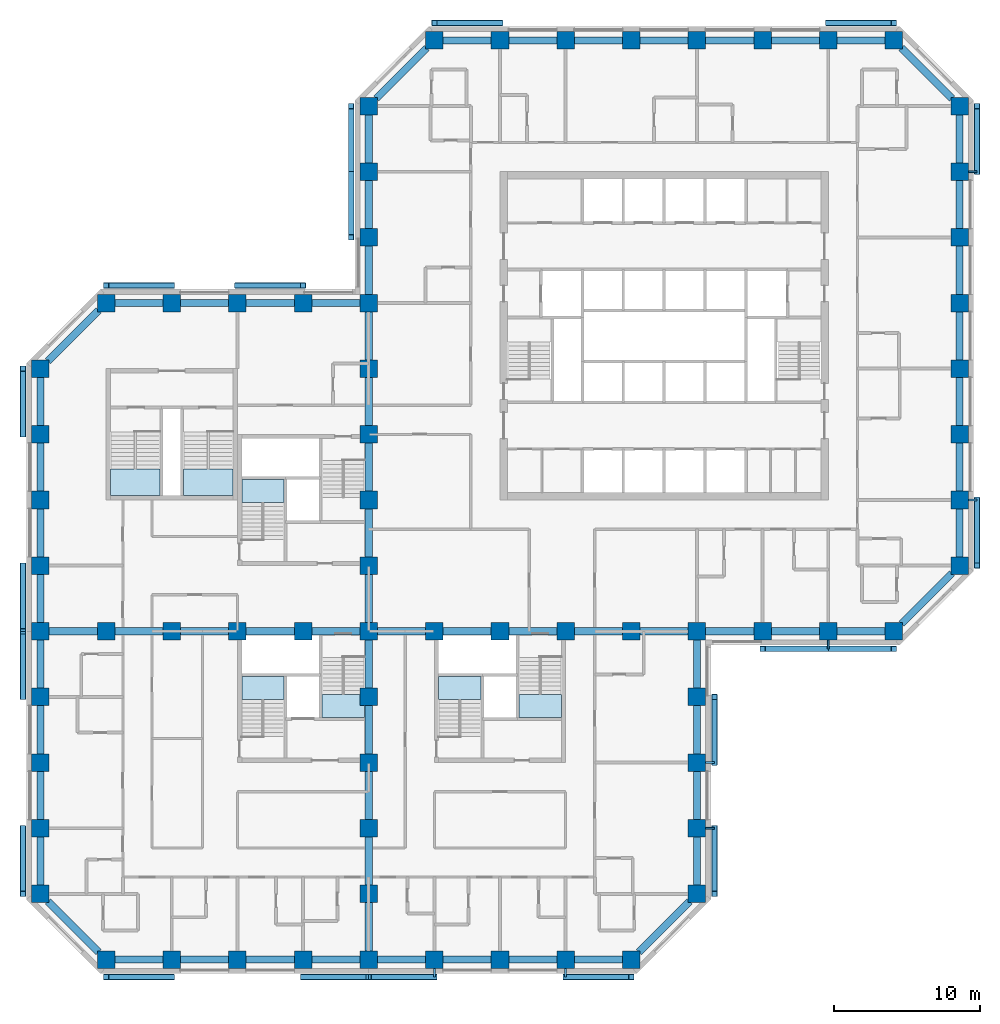
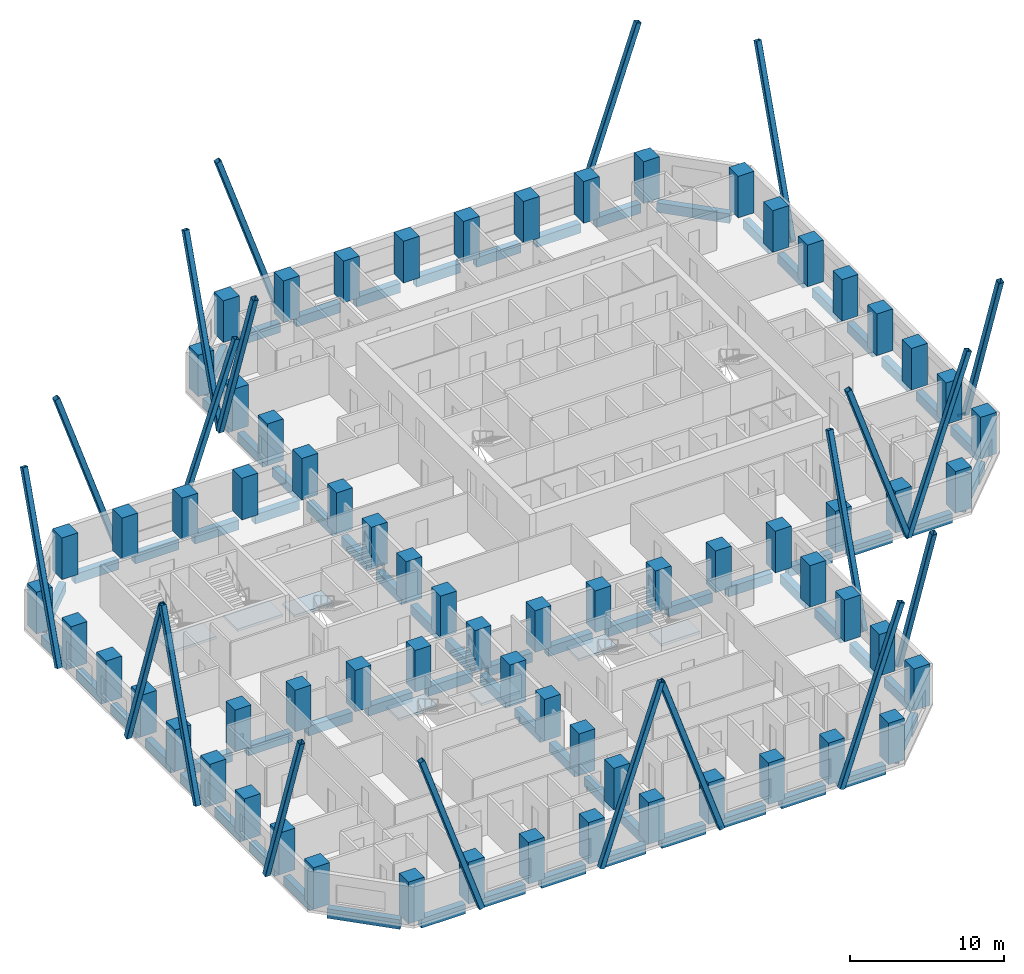
# One storey, part 1 of 13: 77 beams, 67 columns, 20 members, 7 slabs, 7 elements without a shape of their own.
"""IFC4 building model written with IfcOpenShell, lengths in metres."""

from ifc_helpers import new_model, si_unit, direction, frame, origin, origin_2d, place, context, subcontext, project, spatial, polyline, rectangle, hollow_rectangle, outline, extrude, material, layer, layer_set, material_profile, profile_set, type_object, element, aggregate, save


model = new_model("IFC4")

# Units and contexts
model_context = context("Model", 3, precision=1e-05, world=origin(), true_north=direction((0.0, 1.0)))
body_context = subcontext(model_context, "Body", "Model", "MODEL_VIEW")
ifc_project = project(units=[si_unit("LENGTHUNIT", "METRE"), si_unit("AREAUNIT", "SQUARE_METRE"), si_unit("VOLUMEUNIT", "CUBIC_METRE"), si_unit("PLANEANGLEUNIT", "RADIAN"), si_unit("MASSUNIT", "GRAM", prefix="KILO")], contexts=[model_context])

# Site, building, storey
site_placement = place(None, origin())
site = spatial("IfcSite", under=ifc_project, at=site_placement, CompositionType="ELEMENT")
building_placement = place(site_placement, origin())
building = spatial("IfcBuilding", under=site, at=building_placement, Name="Quoin Convention Tower", CompositionType="ELEMENT")
storey_placement = place(building_placement, frame((0.0, 0.0, 26.39990234375)))
storey = spatial("IfcBuildingStorey", under=building, at=storey_placement, Name="L05", CompositionType="ELEMENT", Elevation=26.39990234375)

# Columns
ifc_material_1 = material(Name="Concrete C80", Category="concrete")
ifc_material_profile_1 = material_profile(ifc_material_1, rectangle(XDim=1.199951171875, YDim=1.199951171875, at=origin_2d()), Name="RC 1200x1200")
ifc_profile_set_1 = profile_set([ifc_material_profile_1], Name="Concrete C80")
column_type = type_object("IfcColumnType", Name="RC 1200x1200 C80", PredefinedType="COLUMN", material=ifc_profile_set_1)
for number, where, z_axis, x_axis, name in (
    (1, (18.0, 18.0, 0.0), (0.0, 0.0, 1.0), (1.0, 0.0, 0.0), "col-L05-18000_18000"),
    (2, (22.5, 18.0, 0.0), (0.0, 0.0, 1.0), (1.0, 0.0, 0.0), "col-L05-22500_18000"),
    (3, (27.0, 18.0, 0.0), (0.0, 0.0, 1.0), (1.0, 0.0, 0.0), "col-L05-27000_18000"),
    (4, (31.5, 18.0, 0.0), (0.0, 0.0, 1.0), (1.0, 0.0, 0.0), "col-L05-31500_18000"),
    (5, (36.0, 18.0, 0.0), (0.0, 0.0, 1.0), (1.0, 0.0, 0.0), "col-L05-36000_18000"),
    (6, (40.5, 18.0, 0.0), (0.0, 0.0, 1.0), (1.0, 0.0, 0.0), "col-L05-40500_18000"),
    (7, (45.0, 18.0, 0.0), (0.0, 0.0, 1.0), (1.0, 0.0, 0.0), "col-L05-45000_18000"),
    (8, (49.5, 18.0, 0.0), (0.0, 0.0, 1.0), (1.0, 0.0, 0.0), "col-L05-49500_18000"),
    (9, (54.0, 18.0, 0.0), (0.0, 0.0, 1.0), (1.0, 0.0, 0.0), "col-L05-54000_18000"),
    (10, (13.5, 22.5, 0.0), (0.0, 0.0, 1.0), (1.0, 0.0, 0.0), "col-L05-13500_22500"),
    (11, (36.0, 22.5, 0.0), (0.0, 0.0, 1.0), (1.0, 0.0, 0.0), "web-L05-36000_22500"),
    (12, (58.5, 22.5, 0.0), (0.0, 0.0, 1.0), (1.0, 0.0, 0.0), "col-L05-58500_22500"),
    (13, (13.5, 27.0, 0.0), (0.0, 0.0, 1.0), (1.0, 0.0, 0.0), "col-L05-13500_27000"),
    (14, (36.0, 27.0, 0.0), (0.0, 0.0, 1.0), (1.0, 0.0, 0.0), "web-L05-36000_27000"),
    (15, (58.5, 27.0, 0.0), (0.0, 0.0, 1.0), (1.0, 0.0, 0.0), "col-L05-58500_27000"),
    (16, (13.5, 31.5, 0.0), (0.0, 0.0, 1.0), (1.0, 0.0, 0.0), "col-L05-13500_31500"),
    (17, (36.0, 31.5, 0.0), (0.0, 0.0, 1.0), (1.0, 0.0, 0.0), "web-L05-36000_31500"),
    (18, (58.5, 31.5, 0.0), (0.0, 0.0, 1.0), (1.0, 0.0, 0.0), "col-L05-58500_31500"),
    (19, (13.5, 36.0, 0.0), (0.0, 0.0, 1.0), (1.0, 0.0, 0.0), "col-L05-13500_36000"),
    (20, (36.0, 36.0, 0.0), (0.0, 0.0, 1.0), (1.0, 0.0, 0.0), "web-L05-36000_36000"),
    (21, (58.5, 36.0, 0.0), (0.0, 0.0, 1.0), (1.0, 0.0, 0.0), "col-L05-58500_36000"),
    (22, (13.5, 40.5, 0.0), (0.0, 0.0, 1.0), (1.0, 0.0, 0.0), "col-L05-13500_40500"),
    (23, (18.0, 40.5, 0.0), (0.0, 0.0, 1.0), (1.0, 0.0, 0.0), "web-L05-18000_40500"),
    (24, (22.5, 40.5, 0.0), (0.0, 0.0, 1.0), (1.0, 0.0, 0.0), "web-L05-22500_40500"),
    (25, (27.0, 40.5, 0.0), (0.0, 0.0, 1.0), (1.0, 0.0, 0.0), "web-L05-27000_40500"),
    (26, (31.5, 40.5, 0.0), (0.0, 0.0, 1.0), (1.0, 0.0, 0.0), "web-L05-31500_40500"),
    (27, (36.0, 40.5, 0.0), (0.0, 0.0, 1.0), (1.0, 0.0, 0.0), "web-L05-36000_40500"),
    (28, (40.5, 40.5, 0.0), (0.0, 0.0, 1.0), (1.0, 0.0, 0.0), "web-L05-40500_40500"),
    (29, (45.0, 40.5, 0.0), (0.0, 0.0, 1.0), (1.0, 0.0, 0.0), "web-L05-45000_40500"),
    (30, (49.5, 40.5, 0.0), (0.0, 0.0, 1.0), (1.0, 0.0, 0.0), "web-L05-49500_40500"),
    (31, (54.0, 40.5, 0.0), (0.0, 0.0, 1.0), (1.0, 0.0, 0.0), "web-L05-54000_40500"),
    (32, (58.5, 40.5, 0.0), (0.0, 0.0, 1.0), (1.0, 0.0, 0.0), "col-L05-58500_40500"),
    (33, (63.0, 40.5, 0.0), (0.0, 0.0, 1.0), (1.0, 0.0, 0.0), "col-L05-63000_40500"),
    (34, (67.5, 40.5, 0.0), (0.0, 0.0, 1.0), (1.0, 0.0, 0.0), "col-L05-67500_40500"),
    (35, (72.0, 40.5, 0.0), (0.0, 0.0, 1.0), (1.0, 0.0, 0.0), "col-L05-72000_40500"),
    (36, (13.5, 45.0, 0.0), (0.0, 0.0, 1.0), (1.0, 0.0, 0.0), "col-L05-13500_45000"),
    (37, (36.0, 45.0, 0.0), (0.0, 0.0, 1.0), (1.0, 0.0, 0.0), "web-L05-36000_45000"),
    (38, (76.5, 45.0, 0.0), (0.0, 0.0, 1.0), (1.0, 0.0, 0.0), "col-L05-76500_45000"),
    (39, (13.5, 49.5, 0.0), (0.0, 0.0, 1.0), (1.0, 0.0, 0.0), "col-L05-13500_49500"),
    (40, (36.0, 49.5, 0.0), (0.0, 0.0, 1.0), (1.0, 0.0, 0.0), "web-L05-36000_49500"),
    (41, (76.5, 49.5, 0.0), (0.0, 0.0, 1.0), (1.0, 0.0, 0.0), "col-L05-76500_49500"),
    (42, (13.5, 54.0, 0.0), (0.0, 0.0, 1.0), (1.0, 0.0, 0.0), "col-L05-13500_54000"),
    (43, (36.0, 54.0, 0.0), (0.0, 0.0, 1.0), (1.0, 0.0, 0.0), "web-L05-36000_54000"),
    (44, (76.5, 54.0, 0.0), (0.0, 0.0, 1.0), (1.0, 0.0, 0.0), "col-L05-76500_54000"),
    (45, (13.5, 58.5, 0.0), (0.0, 0.0, 1.0), (1.0, 0.0, 0.0), "col-L05-13500_58500"),
    (46, (36.0, 58.5, 0.0), (0.0, 0.0, 1.0), (1.0, 0.0, 0.0), "web-L05-36000_58500"),
    (47, (76.5, 58.5, 0.0), (0.0, 0.0, 1.0), (1.0, 0.0, 0.0), "col-L05-76500_58500"),
    (48, (18.0, 63.0, 0.0), (0.0, 0.0, 1.0), (1.0, 0.0, 0.0), "col-L05-18000_63000"),
    (49, (22.5, 63.0, 0.0), (0.0, 0.0, 1.0), (1.0, 0.0, 0.0), "col-L05-22500_63000"),
    (50, (27.0, 63.0, 0.0), (0.0, 0.0, 1.0), (1.0, 0.0, 0.0), "col-L05-27000_63000"),
    (51, (31.5, 63.0, 0.0), (0.0, 0.0, 1.0), (1.0, 0.0, 0.0), "col-L05-31500_63000"),
    (52, (36.0, 63.0, 0.0), (0.0, 0.0, 1.0), (1.0, 0.0, 0.0), "col-L05-36000_63000"),
    (53, (76.5, 63.0, 0.0), (0.0, 0.0, 1.0), (1.0, 0.0, 0.0), "col-L05-76500_63000"),
    (54, (36.0, 67.5, 0.0), (0.0, 0.0, 1.0), (1.0, 0.0, 0.0), "col-L05-36000_67500"),
    (55, (76.5, 67.5, 0.0), (0.0, 0.0, 1.0), (1.0, 0.0, 0.0), "col-L05-76500_67500"),
    (56, (36.0, 72.0, 0.0), (0.0, 0.0, 1.0), (1.0, 0.0, 0.0), "col-L05-36000_72000"),
    (57, (76.5, 72.0, 0.0), (0.0, 0.0, 1.0), (1.0, 0.0, 0.0), "col-L05-76500_72000"),
    (58, (36.0, 76.5, 0.0), (0.0, 0.0, 1.0), (1.0, 0.0, 0.0), "col-L05-36000_76500"),
    (59, (76.5, 76.5, 0.0), (0.0, 0.0, 1.0), (1.0, 0.0, 0.0), "col-L05-76500_76500"),
    (60, (40.5, 81.0, 0.0), (0.0, 0.0, 1.0), (1.0, 0.0, 0.0), "col-L05-40500_81000"),
    (61, (45.0, 81.0, 0.0), (0.0, 0.0, 1.0), (1.0, 0.0, 0.0), "col-L05-45000_81000"),
    (62, (49.5, 81.0, 0.0), (0.0, 0.0, 1.0), (1.0, 0.0, 0.0), "col-L05-49500_81000"),
    (63, (54.0, 81.0, 0.0), (0.0, 0.0, 1.0), (1.0, 0.0, 0.0), "col-L05-54000_81000"),
    (64, (58.5, 81.0, 0.0), (0.0, 0.0, 1.0), (1.0, 0.0, 0.0), "col-L05-58500_81000"),
    (65, (63.0, 81.0, 0.0), (0.0, 0.0, 1.0), (1.0, 0.0, 0.0), "col-L05-63000_81000"),
    (66, (67.5, 81.0, 0.0), (0.0, 0.0, 1.0), (1.0, 0.0, 0.0), "col-L05-67500_81000"),
    (67, (72.0, 81.0, 0.0), (0.0, 0.0, 1.0), (1.0, 0.0, 0.0), "col-L05-72000_81000"),
):
    element("IfcColumn", number, at=place(storey_placement, frame(where, z_axis=z_axis, x_axis=x_axis)), inside=storey, type_object=column_type, Name=name, PredefinedType="COLUMN", context=body_context, shape_type="SweptSolid", body=[
        extrude(rectangle(XDim=1.199951171875, YDim=1.199951171875, at=origin_2d()), origin(), (0.0, 0.0, 1.0), 3.300048828125),
    ])

# Beams
ifc_material_2 = material(Name="Steel C450L0", Category="steel")
ifc_material_profile_2 = material_profile(ifc_material_2, hollow_rectangle(XDim=0.14990234375, YDim=0.14990234375, WallThickness=0.008056640625, InnerFilletRadius=0.011962890625, OuterFilletRadius=0.02001953125, at=origin_2d()), Name="150x150x8.0SHS")
ifc_profile_set_2 = profile_set([ifc_material_profile_2], Name="Steel C450L0")
beam_type_1 = type_object("IfcBeamType", Name="150x150x8.0SHS", PredefinedType="BEAM", material=ifc_profile_set_2)
for number, where, z_axis, x_axis, name in (
    (68, (40.5, 17.39990234375, -0.074951171875), (0.0, -1.0, 0.0), (1.0, 0.0, 0.0), "brk-lo-L05-36000_18000-40500_18000"),
    (69, (49.5, 17.39990234375, -0.074951171875), (0.0, -1.0, 0.0), (1.0, 0.0, 0.0), "brk-lo-L05-49500_18000-54000_18000"),
    (70, (59.10009765625, 27.0, -0.074951171875), (1.0, 0.0, 0.0), (0.0, 1.0, 0.0), "brk-lo-L05-58500_22500-58500_27000"),
    (71, (59.10009765625, 31.5, -0.074951171875), (1.0, 0.0, 0.0), (0.0, 1.0, 0.0), "brk-lo-L05-58500_31500-58500_36000"),
    (72, (67.5, 39.89990234375, -0.074951171875), (0.0, -1.0, 0.0), (1.0, 0.0, 0.0), "brk-lo-L05-63000_40500-67500_40500"),
    (73, (77.10009765625, 49.5, -0.074951171875), (1.0, 0.0, 0.0), (0.0, 1.0, 0.0), "brk-lo-L05-76500_45000-76500_49500"),
    (74, (77.10009765625, 72.0, -0.074951171875), (1.0, 0.0, 0.0), (0.0, 1.0, 0.0), "brk-lo-L05-76500_72000-76500_76500"),
):
    element("IfcBeam", number, at=place(storey_placement, frame(where, z_axis=z_axis, x_axis=x_axis)), inside=storey, type_object=beam_type_1, Name=name, PredefinedType="BEAM", context=body_context, shape_type="SweptSolid", body=[
        extrude(hollow_rectangle(XDim=0.14990234375, YDim=0.14990234375, WallThickness=0.008056640625, InnerFilletRadius=0.011962890625, OuterFilletRadius=0.02001953125, at=origin_2d()), origin(), (0.0, 0.0, 1.0), 0.599853515625),
    ])

# Members
ifc_material_profile_3 = material_profile(ifc_material_2, hollow_rectangle(XDim=0.39990234375, YDim=0.39990234375, WallThickness=0.01611328125, InnerFilletRadius=0.02392578125, OuterFilletRadius=0.0400390625, at=origin_2d()), Name="400x400x16.0SHS")
ifc_profile_set_3 = profile_set([ifc_material_profile_3], Name="Steel C450L0")
member_type = type_object("IfcMemberType", Name="Exposed brace 400x400x16.0SHS", PredefinedType="BRACE", material=ifc_profile_set_3)
for number, where, z_axis, x_axis, name in (
    (75, (12.300048828125, 36.0, -0.074951171875), (0.0, 0.322674997119, 0.946509823633), (-1.0, 0.0, 0.0), "brc-L05-13500_40500-13500_36000"),
    (76, (12.300048828125, 27.0, -0.074951171875), (0.0, -0.322674997119, 0.946509823633), (1.0, 0.0, 0.0), "brc-L05-13500_27000-13500_22500"),
    (77, (12.300048828125, 54.0, -0.074951171875), (0.0, 0.322674997119, 0.946509823633), (-1.0, 0.0, 0.0), "brc-L05-13500_58500-13500_54000"),
    (78, (12.300048828125, 45.0, -0.074951171875), (0.0, -0.322674997119, 0.946509823633), (1.0, 0.0, 0.0), "brc-L05-13500_45000-13500_40500"),
    (79, (22.5, 16.800048828125, -0.074951171875), (-0.322674997119, 0.0, 0.946509823633), (0.0, -1.0, 0.0), "brc-L05-18000_18000-22500_18000"),
    (80, (31.5, 16.800048828125, -0.074951171875), (0.322674997119, 0.0, 0.946509823633), (0.0, 1.0, 0.0), "brc-L05-31500_18000-36000_18000"),
    (81, (40.5, 16.800048828125, -0.074951171875), (-0.322674997119, 0.0, 0.946509823633), (0.0, -1.0, 0.0), "brc-L05-36000_18000-40500_18000"),
    (82, (49.5, 16.800048828125, -0.074951171875), (0.322674997119, 0.0, 0.946509823633), (0.0, 1.0, 0.0), "brc-L05-49500_18000-54000_18000"),
    (83, (27.0, 64.199951171875, -0.074951171875), (0.322674997119, 0.0, 0.946509823633), (0.0, 1.0, 0.0), "brc-L05-31500_63000-27000_63000"),
    (84, (22.5, 64.199951171875, -0.074951171875), (-0.322674997119, 0.0, 0.946509823633), (0.0, -1.0, 0.0), "brc-L05-22500_63000-18000_63000"),
    (85, (34.800048828125, 72.0, -0.074951171875), (0.0, 0.322674997119, 0.946509823633), (-1.0, 0.0, 0.0), "brc-L05-36000_76500-36000_72000"),
    (86, (34.800048828125, 72.0, -0.074951171875), (0.0, -0.322674997119, 0.946509823633), (1.0, 0.0, 0.0), "brc-L05-36000_72000-36000_67500"),
    (87, (59.699951171875, 27.0, -0.074951171875), (0.0, -0.322674997119, 0.946509823633), (1.0, 0.0, 0.0), "brc-L05-58500_22500-58500_27000"),
    (88, (59.699951171875, 31.5, -0.074951171875), (0.0, 0.322674997119, 0.946509823633), (-1.0, 0.0, 0.0), "brc-L05-58500_31500-58500_36000"),
    (89, (67.5, 39.300048828125, -0.074951171875), (-0.322674997119, 0.0, 0.946509823633), (0.0, -1.0, 0.0), "brc-L05-63000_40500-67500_40500"),
    (90, (67.5, 39.300048828125, -0.074951171875), (0.322674997119, 0.0, 0.946509823633), (0.0, 1.0, 0.0), "brc-L05-67500_40500-72000_40500"),
    (91, (67.5, 82.199951171875, -0.074951171875), (0.322674997119, 0.0, 0.946509823633), (0.0, 1.0, 0.0), "brc-L05-72000_81000-67500_81000"),
    (92, (45.0, 82.199951171875, -0.074951171875), (-0.322674997119, 0.0, 0.946509823633), (0.0, -1.0, 0.0), "brc-L05-45000_81000-40500_81000"),
    (93, (77.699951171875, 49.5, -0.074951171875), (0.0, -0.322674997119, 0.946509823633), (1.0, 0.0, 0.0), "brc-L05-76500_45000-76500_49500"),
    (94, (77.699951171875, 72.0, -0.074951171875), (0.0, 0.322674997119, 0.946509823633), (-1.0, 0.0, 0.0), "brc-L05-76500_72000-76500_76500"),
):
    element("IfcMember", number, at=place(storey_placement, frame(where, z_axis=z_axis, x_axis=x_axis)), inside=storey, type_object=member_type, Name=name, PredefinedType="BRACE", context=body_context, shape_type="SweptSolid", body=[
        extrude(hollow_rectangle(XDim=0.39990234375, YDim=0.39990234375, WallThickness=0.01611328125, InnerFilletRadius=0.02392578125, OuterFilletRadius=0.0400390625, at=origin_2d()), origin(), (0.0, 0.0, 1.0), 13.94580078125),
    ])

# Beams
ifc_material_profile_4 = material_profile(ifc_material_1, rectangle(XDim=0.5, YDim=0.75, at=origin_2d()), Name="RC 500x750")
ifc_profile_set_4 = profile_set([ifc_material_profile_4], Name="Concrete C80")
beam_type_2 = type_object("IfcBeamType", Name="RC 500x750 C80", PredefinedType="SPANDREL", material=ifc_profile_set_4)
beam_1_placement = place(storey_placement, frame((14.01513671875, 21.98486328125, -0.594970703125), z_axis=(0.707106781187, -0.707106781187, 0.0), x_axis=(0.707106781187, 0.707106781187, 0.0)))
element("IfcBeam", 95, at=beam_1_placement, inside=storey, type_object=beam_type_2, Name="spd-L05-13500_22500-18000_18000", PredefinedType="SPANDREL", context=body_context, shape_type="SweptSolid", body=[
    extrude(rectangle(XDim=0.5, YDim=0.75, at=origin_2d()), origin(), (0.0, 0.0, 1.0), 4.906982421875),
])
for number, where, z_axis, x_axis, name in (
    (96, (18.60009765625, 18.0, -0.594970703125), (1.0, 0.0, 0.0), (0.0, 1.0, 0.0), "spd-L05-18000_18000-22500_18000"),
    (97, (23.10009765625, 18.0, -0.594970703125), (1.0, 0.0, 0.0), (0.0, 1.0, 0.0), "spd-L05-22500_18000-27000_18000"),
    (98, (27.60009765625, 18.0, -0.594970703125), (1.0, 0.0, 0.0), (0.0, 1.0, 0.0), "spd-L05-27000_18000-31500_18000"),
    (99, (32.10009765625, 18.0, -0.594970703125), (1.0, 0.0, 0.0), (0.0, 1.0, 0.0), "spd-L05-31500_18000-36000_18000"),
    (100, (36.60009765625, 18.0, -0.594970703125), (1.0, 0.0, 0.0), (0.0, 1.0, 0.0), "spd-L05-36000_18000-40500_18000"),
    (101, (41.10009765625, 18.0, -0.594970703125), (1.0, 0.0, 0.0), (0.0, 1.0, 0.0), "spd-L05-40500_18000-45000_18000"),
    (102, (45.60009765625, 18.0, -0.594970703125), (1.0, 0.0, 0.0), (0.0, 1.0, 0.0), "spd-L05-45000_18000-49500_18000"),
    (103, (50.10009765625, 18.0, -0.594970703125), (1.0, 0.0, 0.0), (0.0, 1.0, 0.0), "spd-L05-49500_18000-54000_18000"),
):
    element("IfcBeam", number, at=place(storey_placement, frame(where, z_axis=z_axis, x_axis=x_axis)), inside=storey, type_object=beam_type_2, Name=name, PredefinedType="SPANDREL", context=body_context, shape_type="SweptSolid", body=[
        extrude(rectangle(XDim=0.5, YDim=0.75, at=origin_2d()), origin(), (0.0, 0.0, 1.0), 3.2998046875),
    ])
beam_2_placement = place(storey_placement, frame((54.51513671875, 18.51513671875, -0.594970703125), z_axis=(0.707106781187, 0.707106781187, 0.0), x_axis=(-0.707106781187, 0.707106781187, 0.0)))
element("IfcBeam", 104, at=beam_2_placement, inside=storey, type_object=beam_type_2, Name="spd-L05-54000_18000-58500_22500", PredefinedType="SPANDREL", context=body_context, shape_type="SweptSolid", body=[
    extrude(rectangle(XDim=0.5, YDim=0.75, at=origin_2d()), origin(), (0.0, 0.0, 1.0), 4.906982421875),
])
for number, where, z_axis, x_axis, name in (
    (105, (58.5, 23.10009765625, -0.594970703125), (0.0, 1.0, 0.0), (-1.0, 0.0, 0.0), "spd-L05-58500_22500-58500_27000"),
    (106, (58.5, 27.60009765625, -0.594970703125), (0.0, 1.0, 0.0), (-1.0, 0.0, 0.0), "spd-L05-58500_27000-58500_31500"),
    (107, (58.5, 32.10009765625, -0.594970703125), (0.0, 1.0, 0.0), (-1.0, 0.0, 0.0), "spd-L05-58500_31500-58500_36000"),
    (108, (58.5, 36.60009765625, -0.594970703125), (0.0, 1.0, 0.0), (-1.0, 0.0, 0.0), "spd-L05-58500_36000-58500_40500"),
    (109, (59.10009765625, 40.5, -0.594970703125), (1.0, 0.0, 0.0), (0.0, 1.0, 0.0), "spd-L05-58500_40500-63000_40500"),
    (110, (63.60009765625, 40.5, -0.594970703125), (1.0, 0.0, 0.0), (0.0, 1.0, 0.0), "spd-L05-63000_40500-67500_40500"),
    (111, (68.10009765625, 40.5, -0.594970703125), (1.0, 0.0, 0.0), (0.0, 1.0, 0.0), "spd-L05-67500_40500-72000_40500"),
):
    element("IfcBeam", number, at=place(storey_placement, frame(where, z_axis=z_axis, x_axis=x_axis)), inside=storey, type_object=beam_type_2, Name=name, PredefinedType="SPANDREL", context=body_context, shape_type="SweptSolid", body=[
        extrude(rectangle(XDim=0.5, YDim=0.75, at=origin_2d()), origin(), (0.0, 0.0, 1.0), 3.2998046875),
    ])
beam_3_placement = place(storey_placement, frame((72.51513671875, 41.01513671875, -0.594970703125), z_axis=(0.707106781187, 0.707106781187, 0.0), x_axis=(-0.707106781187, 0.707106781187, 0.0)))
element("IfcBeam", 112, at=beam_3_placement, inside=storey, type_object=beam_type_2, Name="spd-L05-72000_40500-76500_45000", PredefinedType="SPANDREL", context=body_context, shape_type="SweptSolid", body=[
    extrude(rectangle(XDim=0.5, YDim=0.75, at=origin_2d()), origin(), (0.0, 0.0, 1.0), 4.906982421875),
])
for number, where, z_axis, x_axis, name in (
    (113, (76.5, 45.60009765625, -0.594970703125), (0.0, 1.0, 0.0), (-1.0, 0.0, 0.0), "spd-L05-76500_45000-76500_49500"),
    (114, (76.5, 50.10009765625, -0.594970703125), (0.0, 1.0, 0.0), (-1.0, 0.0, 0.0), "spd-L05-76500_49500-76500_54000"),
    (115, (76.5, 54.60009765625, -0.594970703125), (0.0, 1.0, 0.0), (-1.0, 0.0, 0.0), "spd-L05-76500_54000-76500_58500"),
    (116, (76.5, 59.10009765625, -0.594970703125), (0.0, 1.0, 0.0), (-1.0, 0.0, 0.0), "spd-L05-76500_58500-76500_63000"),
    (117, (76.5, 63.60009765625, -0.594970703125), (0.0, 1.0, 0.0), (-1.0, 0.0, 0.0), "spd-L05-76500_63000-76500_67500"),
    (118, (76.5, 68.10009765625, -0.594970703125), (0.0, 1.0, 0.0), (-1.0, 0.0, 0.0), "spd-L05-76500_67500-76500_72000"),
    (119, (76.5, 72.60009765625, -0.594970703125), (0.0, 1.0, 0.0), (-1.0, 0.0, 0.0), "spd-L05-76500_72000-76500_76500"),
):
    element("IfcBeam", number, at=place(storey_placement, frame(where, z_axis=z_axis, x_axis=x_axis)), inside=storey, type_object=beam_type_2, Name=name, PredefinedType="SPANDREL", context=body_context, shape_type="SweptSolid", body=[
        extrude(rectangle(XDim=0.5, YDim=0.75, at=origin_2d()), origin(), (0.0, 0.0, 1.0), 3.2998046875),
    ])
beam_4_placement = place(storey_placement, frame((75.98486328125, 77.01513671875, -0.594970703125), z_axis=(-0.707106781187, 0.707106781187, 0.0), x_axis=(-0.707106781187, -0.707106781187, 0.0)))
element("IfcBeam", 120, at=beam_4_placement, inside=storey, type_object=beam_type_2, Name="spd-L05-76500_76500-72000_81000", PredefinedType="SPANDREL", context=body_context, shape_type="SweptSolid", body=[
    extrude(rectangle(XDim=0.5, YDim=0.75, at=origin_2d()), origin(), (0.0, 0.0, 1.0), 4.906982421875),
])
for number, where, z_axis, x_axis, name in (
    (121, (71.39990234375, 81.0, -0.594970703125), (-1.0, 0.0, 0.0), (0.0, -1.0, 0.0), "spd-L05-72000_81000-67500_81000"),
    (122, (66.89990234375, 81.0, -0.594970703125), (-1.0, 0.0, 0.0), (0.0, -1.0, 0.0), "spd-L05-67500_81000-63000_81000"),
    (123, (62.39990234375, 81.0, -0.594970703125), (-1.0, 0.0, 0.0), (0.0, -1.0, 0.0), "spd-L05-63000_81000-58500_81000"),
    (124, (57.89990234375, 81.0, -0.594970703125), (-1.0, 0.0, 0.0), (0.0, -1.0, 0.0), "spd-L05-58500_81000-54000_81000"),
    (125, (53.39990234375, 81.0, -0.594970703125), (-1.0, 0.0, 0.0), (0.0, -1.0, 0.0), "spd-L05-54000_81000-49500_81000"),
    (126, (48.89990234375, 81.0, -0.594970703125), (-1.0, 0.0, 0.0), (0.0, -1.0, 0.0), "spd-L05-49500_81000-45000_81000"),
    (127, (44.39990234375, 81.0, -0.594970703125), (-1.0, 0.0, 0.0), (0.0, -1.0, 0.0), "spd-L05-45000_81000-40500_81000"),
):
    element("IfcBeam", number, at=place(storey_placement, frame(where, z_axis=z_axis, x_axis=x_axis)), inside=storey, type_object=beam_type_2, Name=name, PredefinedType="SPANDREL", context=body_context, shape_type="SweptSolid", body=[
        extrude(rectangle(XDim=0.5, YDim=0.75, at=origin_2d()), origin(), (0.0, 0.0, 1.0), 3.2998046875),
    ])
beam_5_placement = place(storey_placement, frame((39.98486328125, 80.48486328125, -0.594970703125), z_axis=(-0.707106781187, -0.707106781187, 0.0), x_axis=(0.707106781187, -0.707106781187, 0.0)))
element("IfcBeam", 128, at=beam_5_placement, inside=storey, type_object=beam_type_2, Name="spd-L05-40500_81000-36000_76500", PredefinedType="SPANDREL", context=body_context, shape_type="SweptSolid", body=[
    extrude(rectangle(XDim=0.5, YDim=0.75, at=origin_2d()), origin(), (0.0, 0.0, 1.0), 4.906982421875),
])
for number, where, z_axis, x_axis, name in (
    (129, (36.0, 75.89990234375, -0.594970703125), (0.0, -1.0, 0.0), (1.0, 0.0, 0.0), "spd-L05-36000_76500-36000_72000"),
    (130, (36.0, 71.39990234375, -0.594970703125), (0.0, -1.0, 0.0), (1.0, 0.0, 0.0), "spd-L05-36000_72000-36000_67500"),
    (131, (36.0, 66.89990234375, -0.594970703125), (0.0, -1.0, 0.0), (1.0, 0.0, 0.0), "spd-L05-36000_67500-36000_63000"),
    (132, (35.39990234375, 63.0, -0.594970703125), (-1.0, 0.0, 0.0), (0.0, -1.0, 0.0), "spd-L05-36000_63000-31500_63000"),
    (133, (30.89990234375, 63.0, -0.594970703125), (-1.0, 0.0, 0.0), (0.0, -1.0, 0.0), "spd-L05-31500_63000-27000_63000"),
    (134, (26.39990234375, 63.0, -0.594970703125), (-1.0, 0.0, 0.0), (0.0, -1.0, 0.0), "spd-L05-27000_63000-22500_63000"),
    (135, (21.89990234375, 63.0, -0.594970703125), (-1.0, 0.0, 0.0), (0.0, -1.0, 0.0), "spd-L05-22500_63000-18000_63000"),
):
    element("IfcBeam", number, at=place(storey_placement, frame(where, z_axis=z_axis, x_axis=x_axis)), inside=storey, type_object=beam_type_2, Name=name, PredefinedType="SPANDREL", context=body_context, shape_type="SweptSolid", body=[
        extrude(rectangle(XDim=0.5, YDim=0.75, at=origin_2d()), origin(), (0.0, 0.0, 1.0), 3.2998046875),
    ])
beam_6_placement = place(storey_placement, frame((17.48486328125, 62.48486328125, -0.594970703125), z_axis=(-0.707106781187, -0.707106781187, 0.0), x_axis=(0.707106781187, -0.707106781187, 0.0)))
element("IfcBeam", 136, at=beam_6_placement, inside=storey, type_object=beam_type_2, Name="spd-L05-18000_63000-13500_58500", PredefinedType="SPANDREL", context=body_context, shape_type="SweptSolid", body=[
    extrude(rectangle(XDim=0.5, YDim=0.75, at=origin_2d()), origin(), (0.0, 0.0, 1.0), 4.906982421875),
])
for number, where, z_axis, x_axis, name in (
    (137, (13.5, 57.89990234375, -0.594970703125), (0.0, -1.0, 0.0), (1.0, 0.0, 0.0), "spd-L05-13500_58500-13500_54000"),
    (138, (13.5, 53.39990234375, -0.594970703125), (0.0, -1.0, 0.0), (1.0, 0.0, 0.0), "spd-L05-13500_54000-13500_49500"),
    (139, (13.5, 48.89990234375, -0.594970703125), (0.0, -1.0, 0.0), (1.0, 0.0, 0.0), "spd-L05-13500_49500-13500_45000"),
    (140, (13.5, 44.39990234375, -0.594970703125), (0.0, -1.0, 0.0), (1.0, 0.0, 0.0), "spd-L05-13500_45000-13500_40500"),
    (141, (13.5, 39.89990234375, -0.594970703125), (0.0, -1.0, 0.0), (1.0, 0.0, 0.0), "spd-L05-13500_40500-13500_36000"),
    (142, (13.5, 35.39990234375, -0.594970703125), (0.0, -1.0, 0.0), (1.0, 0.0, 0.0), "spd-L05-13500_36000-13500_31500"),
    (143, (13.5, 30.89990234375, -0.594970703125), (0.0, -1.0, 0.0), (1.0, 0.0, 0.0), "spd-L05-13500_31500-13500_27000"),
    (144, (13.5, 26.39990234375, -0.594970703125), (0.0, -1.0, 0.0), (1.0, 0.0, 0.0), "spd-L05-13500_27000-13500_22500"),
    (145, (14.10009765625, 40.5, -0.594970703125), (1.0, 0.0, 0.0), (0.0, 1.0, 0.0), "spd-L05-13500_40500-18000_40500"),
    (146, (18.60009765625, 40.5, -0.594970703125), (1.0, 0.0, 0.0), (0.0, 1.0, 0.0), "spd-L05-18000_40500-22500_40500"),
    (147, (23.10009765625, 40.5, -0.594970703125), (1.0, 0.0, 0.0), (0.0, 1.0, 0.0), "spd-L05-22500_40500-27000_40500"),
    (148, (27.60009765625, 40.5, -0.594970703125), (1.0, 0.0, 0.0), (0.0, 1.0, 0.0), "spd-L05-27000_40500-31500_40500"),
    (149, (32.10009765625, 40.5, -0.594970703125), (1.0, 0.0, 0.0), (0.0, 1.0, 0.0), "spd-L05-31500_40500-36000_40500"),
    (150, (36.60009765625, 40.5, -0.594970703125), (1.0, 0.0, 0.0), (0.0, 1.0, 0.0), "spd-L05-36000_40500-40500_40500"),
    (151, (41.10009765625, 40.5, -0.594970703125), (1.0, 0.0, 0.0), (0.0, 1.0, 0.0), "spd-L05-40500_40500-45000_40500"),
    (152, (45.60009765625, 40.5, -0.594970703125), (1.0, 0.0, 0.0), (0.0, 1.0, 0.0), "spd-L05-45000_40500-49500_40500"),
    (153, (50.10009765625, 40.5, -0.594970703125), (1.0, 0.0, 0.0), (0.0, 1.0, 0.0), "spd-L05-49500_40500-54000_40500"),
    (154, (54.60009765625, 40.5, -0.594970703125), (1.0, 0.0, 0.0), (0.0, 1.0, 0.0), "spd-L05-54000_40500-58500_40500"),
    (155, (36.0, 18.60009765625, -0.594970703125), (0.0, 1.0, 0.0), (-1.0, 0.0, 0.0), "spd-L05-36000_18000-36000_22500"),
    (156, (36.0, 23.10009765625, -0.594970703125), (0.0, 1.0, 0.0), (-1.0, 0.0, 0.0), "spd-L05-36000_22500-36000_27000"),
    (157, (36.0, 27.60009765625, -0.594970703125), (0.0, 1.0, 0.0), (-1.0, 0.0, 0.0), "spd-L05-36000_27000-36000_31500"),
    (158, (36.0, 32.10009765625, -0.594970703125), (0.0, 1.0, 0.0), (-1.0, 0.0, 0.0), "spd-L05-36000_31500-36000_36000"),
    (159, (36.0, 36.60009765625, -0.594970703125), (0.0, 1.0, 0.0), (-1.0, 0.0, 0.0), "spd-L05-36000_36000-36000_40500"),
    (160, (36.0, 41.10009765625, -0.594970703125), (0.0, 1.0, 0.0), (-1.0, 0.0, 0.0), "spd-L05-36000_40500-36000_45000"),
    (161, (36.0, 45.60009765625, -0.594970703125), (0.0, 1.0, 0.0), (-1.0, 0.0, 0.0), "spd-L05-36000_45000-36000_49500"),
    (162, (36.0, 50.10009765625, -0.594970703125), (0.0, 1.0, 0.0), (-1.0, 0.0, 0.0), "spd-L05-36000_49500-36000_54000"),
    (163, (36.0, 54.60009765625, -0.594970703125), (0.0, 1.0, 0.0), (-1.0, 0.0, 0.0), "spd-L05-36000_54000-36000_58500"),
    (164, (36.0, 59.10009765625, -0.594970703125), (0.0, 1.0, 0.0), (-1.0, 0.0, 0.0), "spd-L05-36000_58500-36000_63000"),
):
    element("IfcBeam", number, at=place(storey_placement, frame(where, z_axis=z_axis, x_axis=x_axis)), inside=storey, type_object=beam_type_2, Name=name, PredefinedType="SPANDREL", context=body_context, shape_type="SweptSolid", body=[
        extrude(rectangle(XDim=0.5, YDim=0.75, at=origin_2d()), origin(), (0.0, 0.0, 1.0), 3.2998046875),
    ])

# Stair, slab
ifc_material_3 = material(Name="Concrete C40", Category="concrete")
stair_type_1 = type_object("IfcStairType", Name="Exit stair two-flight 1350", PredefinedType="HALF_TURN_STAIR", material=ifc_material_3)
stair_1_placement = place(storey_placement, origin())
stair_1 = element("IfcStair", 165, at=stair_1_placement, inside=storey, type_object=stair_type_1, Name="SD3 L05", PredefinedType="HALF_TURN_STAIR")
ifc_layer = layer(ifc_material_3, 0.199951171875)
ifc_layer_set = layer_set([ifc_layer], Name="Concrete C40")
slab_type = type_object("IfcSlabType", Name="Stair landing 200", PredefinedType="LANDING", material=ifc_layer_set)
slab_1_placement = place(storey_placement, frame((0.0, 0.0, 1.4501953125)))
slab_1 = element("IfcSlab", 166, at=slab_1_placement, type_object=slab_type, Name="ST3 landing 1", PredefinedType="LANDING", context=body_context, shape_type="SweptSolid", body=[
    extrude(outline(polyline([(27.300048828125, 49.320068359375), (30.199951171875, 49.320068359375), (30.199951171875, 50.89990234375), (27.300048828125, 50.89990234375), (27.300048828125, 49.320068359375)])), origin(), (0.0, 0.0, 1.0), 0.199951171875),
])
aggregate(stair_1, [slab_1])

stair_2_placement = place(storey_placement, origin())
stair_2 = element("IfcStair", 167, at=stair_2_placement, inside=storey, type_object=stair_type_1, Name="SD5 L05", PredefinedType="HALF_TURN_STAIR")
slab_2_placement = place(storey_placement, frame((0.0, 0.0, 1.4501953125)))
slab_2 = element("IfcSlab", 168, at=slab_2_placement, type_object=slab_type, Name="ST5 landing 1", PredefinedType="LANDING", context=body_context, shape_type="SweptSolid", body=[
    extrude(outline(polyline([(40.800048828125, 35.820068359375), (43.699951171875, 35.820068359375), (43.699951171875, 37.39990234375), (40.800048828125, 37.39990234375), (40.800048828125, 35.820068359375)])), origin(), (0.0, 0.0, 1.0), 0.199951171875),
])
aggregate(stair_2, [slab_2])

stair_3_placement = place(storey_placement, origin())
stair_3 = element("IfcStair", 169, at=stair_3_placement, inside=storey, type_object=stair_type_1, Name="SD6 L05", PredefinedType="HALF_TURN_STAIR")
slab_3_placement = place(storey_placement, frame((0.0, 0.0, 1.4501953125)))
slab_3 = element("IfcSlab", 170, at=slab_3_placement, type_object=slab_type, Name="ST6 landing 1", PredefinedType="LANDING", context=body_context, shape_type="SweptSolid", body=[
    extrude(outline(polyline([(49.199951171875, 36.179931640625), (46.300048828125, 36.179931640625), (46.300048828125, 34.60009765625), (49.199951171875, 34.60009765625), (49.199951171875, 36.179931640625)])), origin(), (0.0, 0.0, 1.0), 0.199951171875),
])
aggregate(stair_3, [slab_3])

stair_4_placement = place(storey_placement, origin())
stair_4 = element("IfcStair", 171, at=stair_4_placement, inside=storey, type_object=stair_type_1, Name="SD7 L05", PredefinedType="HALF_TURN_STAIR")
slab_4_placement = place(storey_placement, frame((0.0, 0.0, 1.4501953125)))
slab_4 = element("IfcSlab", 172, at=slab_4_placement, type_object=slab_type, Name="ST7 landing 1", PredefinedType="LANDING", context=body_context, shape_type="SweptSolid", body=[
    extrude(outline(polyline([(27.300048828125, 35.820068359375), (30.199951171875, 35.820068359375), (30.199951171875, 37.39990234375), (27.300048828125, 37.39990234375), (27.300048828125, 35.820068359375)])), origin(), (0.0, 0.0, 1.0), 0.199951171875),
])
aggregate(stair_4, [slab_4])

stair_5_placement = place(storey_placement, origin())
stair_5 = element("IfcStair", 173, at=stair_5_placement, inside=storey, type_object=stair_type_1, Name="SD8 L05", PredefinedType="HALF_TURN_STAIR")
slab_5_placement = place(storey_placement, frame((0.0, 0.0, 1.4501953125)))
slab_5 = element("IfcSlab", 174, at=slab_5_placement, type_object=slab_type, Name="ST8 landing 1", PredefinedType="LANDING", context=body_context, shape_type="SweptSolid", body=[
    extrude(outline(polyline([(35.699951171875, 36.179931640625), (32.800048828125, 36.179931640625), (32.800048828125, 34.60009765625), (35.699951171875, 34.60009765625), (35.699951171875, 36.179931640625)])), origin(), (0.0, 0.0, 1.0), 0.199951171875),
])
aggregate(stair_5, [slab_5])

stair_type_2 = type_object("IfcStairType", Name="Exit stair two-flight 1600", PredefinedType="HALF_TURN_STAIR", material=ifc_material_3)
stair_6_placement = place(storey_placement, origin())
stair_6 = element("IfcStair", 175, at=stair_6_placement, inside=storey, type_object=stair_type_2, Name="SD11 L05", PredefinedType="HALF_TURN_STAIR")
slab_6_placement = place(storey_placement, frame((0.0, 0.0, 1.4501953125)))
slab_6 = element("IfcSlab", 176, at=slab_6_placement, type_object=slab_type, Name="ST11 landing 1", PredefinedType="LANDING", context=body_context, shape_type="SweptSolid", body=[
    extrude(outline(polyline([(21.699951171875, 51.6298828125), (18.300048828125, 51.6298828125), (18.300048828125, 49.800048828125), (21.699951171875, 49.800048828125), (21.699951171875, 51.6298828125)])), origin(), (0.0, 0.0, 1.0), 0.199951171875),
])
aggregate(stair_6, [slab_6])

stair_7_placement = place(storey_placement, origin())
stair_7 = element("IfcStair", 177, at=stair_7_placement, inside=storey, type_object=stair_type_2, Name="SD12 L05", PredefinedType="HALF_TURN_STAIR")
slab_7_placement = place(storey_placement, frame((0.0, 0.0, 1.4501953125)))
slab_7 = element("IfcSlab", 178, at=slab_7_placement, type_object=slab_type, Name="ST12 landing 1", PredefinedType="LANDING", context=body_context, shape_type="SweptSolid", body=[
    extrude(outline(polyline([(26.699951171875, 51.6298828125), (23.300048828125, 51.6298828125), (23.300048828125, 49.800048828125), (26.699951171875, 49.800048828125), (26.699951171875, 51.6298828125)])), origin(), (0.0, 0.0, 1.0), 0.199951171875),
])
aggregate(stair_7, [slab_7])

save(model, "model.ifc")
